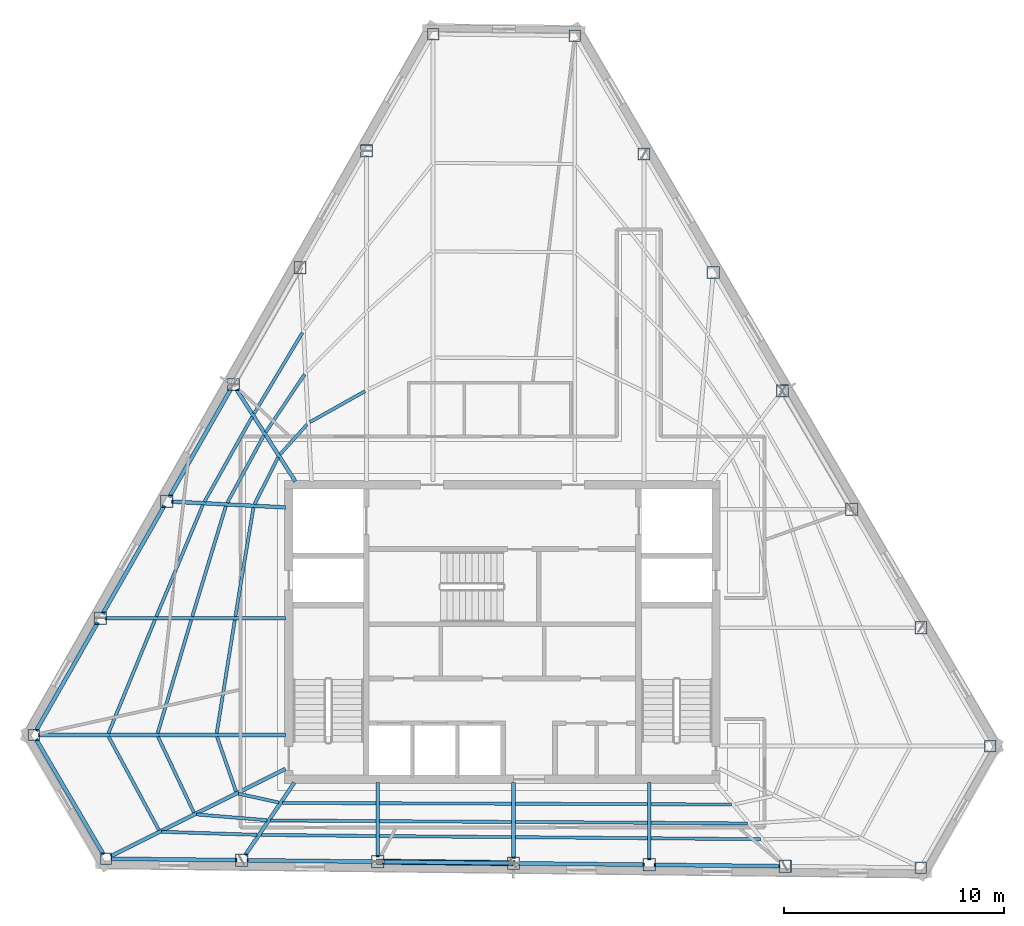
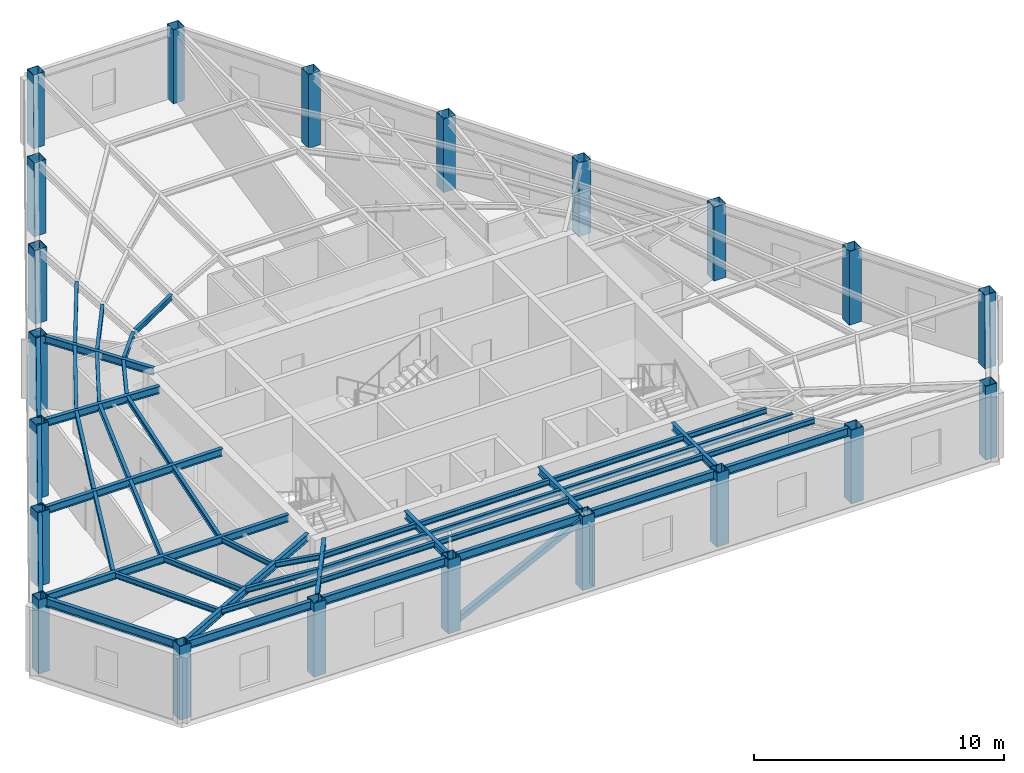
# One storey, part 1 of 10: 49 beams, 21 columns, 1 member.
"""IFC4 building model written with IfcOpenShell, lengths in metres."""

import ifcopenshell
import ifcopenshell.guid

model = None  # the IFC model being written
_history = None  # IfcOwnerHistory: only IFC2X3 demands one
_inside = {}  # id of a spatial element -> (the spatial element, [elements in it])
_under = {}  # id of a project, library or spatial element -> (it, [spatial elements below it])
_declared = {}  # id of a project -> (the project, [libraries it declares])
_typed = {}  # id of a type object -> (the type object, [elements of that type])
_made_of = {}  # id of a material, layer set ... -> (it, [elements and type objects made of it])


def new_model(schema):
    """Start an empty IFC model of exactly this schema.

    Asked for "IFC4X3", IfcOpenShell would pick the latest addendum, in which some entities
    have other attributes; the version numbers below select the first issue.
    IFC2X3 requires an IfcOwnerHistory on every rooted entity: one is made here for all.
    """
    global model, _history
    if schema == "IFC4X3":
        model = ifcopenshell.file(schema_version=(4, 3, 0, 0))
    else:
        model = ifcopenshell.file(schema=schema)
    _inside.clear()
    _under.clear()
    _declared.clear()
    _typed.clear()
    _made_of.clear()
    _history = None
    if model.schema == "IFC2X3":
        org = make("IfcOrganization", Name="unknown")
        user = make(
            "IfcPersonAndOrganization",
            ThePerson=make("IfcPerson", FamilyName="unknown"),
            TheOrganization=org,
        )
        app = make(
            "IfcApplication",
            ApplicationDeveloper=org,
            Version="unknown",
            ApplicationFullName="unknown",
            ApplicationIdentifier="unknown",
        )
        _history = make(
            "IfcOwnerHistory",
            OwningUser=user,
            OwningApplication=app,
            ChangeAction="ADDED",
            CreationDate=0,
        )
    return model


def make(cls, **values):
    """One entity of the class cls with the attributes given. An attribute that is None is left unset."""
    return model.create_entity(
        cls, **{name: value for name, value in values.items() if value is not None}
    )


def rooted(cls, **values):
    """An entity with a GlobalId (a new one), such as an element, a storey or a relation."""
    return make(cls, GlobalId=ifcopenshell.guid.new(), OwnerHistory=_history, **values)


def si_unit(unit_type, name, prefix=None):
    """IfcSIUnit, for example si_unit("LENGTHUNIT", "METRE", prefix="MILLI")."""
    return make("IfcSIUnit", UnitType=unit_type, Prefix=prefix, Name=name)


def assignment(units):
    """IfcUnitAssignment: the units of a project."""
    return None if units is None else make("IfcUnitAssignment", Units=units)


def point(xyz):
    """IfcCartesianPoint."""
    return None if xyz is None else make("IfcCartesianPoint", Coordinates=xyz)


def direction(xyz):
    """IfcDirection."""
    return None if xyz is None else make("IfcDirection", DirectionRatios=xyz)


def frame(location, z_axis=None, x_axis=None):
    """IfcAxis2Placement3D, a coordinate frame: its origin and axes. An axis left out is left unset."""
    return make(
        "IfcAxis2Placement3D",
        Location=point(location),
        Axis=direction(z_axis),
        RefDirection=direction(x_axis),
    )


def frame_2d(location, x_axis=None):
    """IfcAxis2Placement2D, a coordinate frame in the plane: its origin and x axis."""
    return make(
        "IfcAxis2Placement2D", Location=point(location), RefDirection=direction(x_axis)
    )


def origin():
    """The frame at (0, 0, 0) with its axes left unset."""
    return frame((0.0, 0.0, 0.0))


def origin_2d():
    """The frame at (0, 0) in the plane with its x axis left unset."""
    return frame_2d((0.0, 0.0))


def place(relative_to, where):
    """IfcLocalPlacement: puts the frame where relative to a parent placement (None: the world)."""
    return make(
        "IfcLocalPlacement", PlacementRelTo=relative_to, RelativePlacement=where
    )


def context(
    kind, dimensions, precision=None, world=None, true_north=None, identifier=None
):
    """IfcGeometricRepresentationContext, for example the 3D "Model" context."""
    return make(
        "IfcGeometricRepresentationContext",
        ContextIdentifier=identifier,
        ContextType=kind,
        CoordinateSpaceDimension=dimensions,
        Precision=precision,
        WorldCoordinateSystem=world,
        TrueNorth=true_north,
    )


def subcontext(parent, identifier, kind, view, scale=None):
    """IfcGeometricRepresentationSubContext, for example "Body" below "Model"."""
    return make(
        "IfcGeometricRepresentationSubContext",
        ContextIdentifier=identifier,
        ContextType=kind,
        ParentContext=parent,
        TargetScale=scale,
        TargetView=view,
    )


def project(units=None, contexts=None):
    """IfcProject with its units and contexts."""
    return rooted(
        "IfcProject",
        Name="project",
        RepresentationContexts=contexts,
        UnitsInContext=assignment(units),
    )


def spatial(cls, under=None, at=None, **own):
    """A site, building, storey or space (cls), placed at a placement, below another one or the project."""
    s = rooted(cls, ObjectPlacement=at, **own)
    if under is not None:
        _under.setdefault(under.id(), (under, []))[1].append(s)
    return s


def profile(cls, at=None, kind="AREA", **sizes):
    """A parametric profile (cls). Its sizes go by their IFC names, for example OverallWidth=200.0."""
    return make(cls, ProfileType=kind, Position=at, **sizes)


def hollow_rectangle(**sizes):
    """IfcRectangleHollowProfileDef."""
    return profile("IfcRectangleHollowProfileDef", **sizes)


def i_section(**sizes):
    """IfcIShapeProfileDef."""
    return profile("IfcIShapeProfileDef", **sizes)


def extrude(swept, where, along, depth):
    """IfcExtrudedAreaSolid: the profile swept, set in the frame where, extruded along a direction by depth."""
    return make(
        "IfcExtrudedAreaSolid",
        SweptArea=swept,
        Position=where,
        ExtrudedDirection=direction(along),
        Depth=depth,
    )


def shape(context_of_items, identifier, shape_type, items):
    """IfcShapeRepresentation: the items that make up one representation, for example the "Body"."""
    return make(
        "IfcShapeRepresentation",
        ContextOfItems=context_of_items,
        RepresentationIdentifier=identifier,
        RepresentationType=shape_type,
        Items=items,
    )


def material(Name=None, Category=None):
    """IfcMaterial."""
    return make("IfcMaterial", Name=Name, Category=Category)


def material_profile(
    of_material, cross_section, Name=None, Category=None, Priority=None
):
    """IfcMaterialProfile: a cross section and its material."""
    return make(
        "IfcMaterialProfile",
        Name=Name,
        Material=of_material,
        Profile=cross_section,
        Priority=Priority,
        Category=Category,
    )


def profile_set(profiles, Name=None, composite=None):
    """IfcMaterialProfileSet."""
    return make(
        "IfcMaterialProfileSet",
        Name=Name,
        MaterialProfiles=profiles,
        CompositeProfile=composite,
    )


def made_of(thing, what):
    """Note that an element or type object is made of a material, layer set ...; save() writes the relation."""
    if what is not None:
        _made_of.setdefault(what.id(), (what, []))[1].append(thing)
    return thing


def type_object(cls, material=None, **own):
    """A type object (cls), such as IfcWallType, which elements share."""
    return made_of(rooted(cls, **own), material)


def element(
    cls,
    number,
    at=None,
    inside=None,
    cuts=None,
    type_object=None,
    material=None,
    context=None,
    identifier="Body",
    shape_type=None,
    held_by="IfcProductDefinitionShape",
    body=None,
    shapes=None,
    **own,
):
    """One element of the class cls, such as IfcWall. Its Tag is "e" and its number.

    at: its placement. inside: the storey or other place that contains it. cuts: it is an
    opening in that element (IfcRelVoidsElement). A single representation is given by context,
    identifier, shape_type and body (its items); several are given by shapes. held_by: the class
    of the entity that holds the representations. save() writes the other relations.
    """
    e = rooted(cls, Tag="e%d" % number, ObjectPlacement=at, **own)
    if body is not None:
        shapes = [shape(context, identifier, shape_type, body)]
    if shapes is not None:
        e.Representation = make(held_by, Representations=shapes)
    if inside is not None:
        _inside.setdefault(inside.id(), (inside, []))[1].append(e)
    if cuts is not None:
        rooted(
            "IfcRelVoidsElement", RelatingBuildingElement=cuts, RelatedOpeningElement=e
        )
    if type_object is not None:
        _typed.setdefault(type_object.id(), (type_object, []))[1].append(e)
    return made_of(e, material)


def aggregate(whole, parts):
    """IfcRelAggregates: a whole, such as a stair, and the parts it consists of."""
    return rooted("IfcRelAggregates", RelatingObject=whole, RelatedObjects=parts)


def save(model, path):
    """Write the relations noted so far, then the file.

    IfcRelAggregates (storeys below a building ...), IfcRelContainedInSpatialStructure (elements
    in a storey), IfcRelDefinesByType, IfcRelAssociatesMaterial and IfcRelDeclares: one each for
    every whole, place, type object, material and project.
    """
    for whole, parts in _under.values():
        aggregate(whole, parts)
    for where, things in _inside.values():
        rooted(
            "IfcRelContainedInSpatialStructure",
            RelatedElements=things,
            RelatingStructure=where,
        )
    for kind, things in _typed.values():
        rooted("IfcRelDefinesByType", RelatedObjects=things, RelatingType=kind)
    for what, things in _made_of.values():
        rooted("IfcRelAssociatesMaterial", RelatedObjects=things, RelatingMaterial=what)
    for by, libraries in _declared.values():
        rooted("IfcRelDeclares", RelatingContext=by, RelatedDefinitions=libraries)
    model.write(path)


model = new_model("IFC4")

# Units and contexts
model_context = context("Model", 3, precision=1e-05, world=origin(), true_north=direction((0.0, 1.0)))
body_context = subcontext(model_context, "Body", "Model", "MODEL_VIEW")
ifc_project = project(units=[si_unit("LENGTHUNIT", "METRE"), si_unit("AREAUNIT", "SQUARE_METRE"), si_unit("VOLUMEUNIT", "CUBIC_METRE"), si_unit("PLANEANGLEUNIT", "RADIAN"), si_unit("MASSUNIT", "GRAM", prefix="KILO")], contexts=[model_context])

# Site, building, storey
site_placement = place(None, origin())
site = spatial("IfcSite", under=ifc_project, at=site_placement, CompositionType="ELEMENT")
building_placement = place(site_placement, origin())
building = spatial("IfcBuilding", under=site, at=building_placement, Name="Kavelnor Concourse Tower", CompositionType="ELEMENT")
storey_placement = place(building_placement, frame((0.0, 0.0, 254.89990234375)))
storey = spatial("IfcBuildingStorey", under=building, at=storey_placement, Name="L64", CompositionType="ELEMENT", Elevation=254.89990234375)

# Columns
ifc_material = material(Name="Steel Grade 350", Category="steel")
ifc_material_profile_1 = material_profile(ifc_material, hollow_rectangle(XDim=0.52001953125, YDim=0.52001953125, WallThickness=0.02392578125, at=origin_2d()), Name="SHS 520x520x24")
ifc_profile_set_1 = profile_set([ifc_material_profile_1], Name="Steel Grade 350")
column_type_1 = type_object("IfcColumnType", Name="COL-FOLD-Z4", PredefinedType="COLUMN", material=ifc_profile_set_1)
for number, where, z_axis, x_axis, name in (
    (1, (34.846923828125, 43.2880859375, 0.0), (0.0, 0.0, 1.0), (1.0, 0.0, 0.0), "L64 Perimeter Corner-Fold Column F0-B0"),
    (2, (16.684814453125, 11.416259765625, 0.0), (0.0, 0.0, 1.0), (1.0, 0.0, 0.0), "L64 Perimeter Corner-Fold Column F0-B6"),
    (3, (19.973876953125, 5.791748046875, 0.0), (0.0, 0.0, 1.0), (1.0, 0.0, 0.0), "L64 Perimeter Corner-Fold Column F1-B0"),
    (4, (57.026611328125, 5.376953125, 0.0), (0.0, 0.0, 1.0), (1.0, 0.0, 0.0), "L64 Perimeter Corner-Fold Column F1-B6"),
    (5, (60.179931640625, 10.91064453125, 0.0), (0.0, 0.0, 1.0), (1.0, 0.0, 0.0), "L64 Perimeter Corner-Fold Column F2-B0"),
    (6, (41.288818359375, 43.216064453125, 0.0), (0.0, 0.0, 1.0), (1.0, 0.0, 0.0), "L64 Perimeter Corner-Fold Column F2-B6"),
):
    element("IfcColumn", number, at=place(storey_placement, frame(where, z_axis=z_axis, x_axis=x_axis)), inside=storey, type_object=column_type_1, Name=name, PredefinedType="COLUMN", context=body_context, shape_type="SweptSolid", body=[
        extrude(hollow_rectangle(XDim=0.52001953125, YDim=0.52001953125, WallThickness=0.02392578125, at=origin_2d()), origin(), (0.0, 0.0, 1.0), 3.610107421875),
    ])
ifc_material_profile_2 = material_profile(ifc_material, hollow_rectangle(XDim=0.56005859375, YDim=0.56005859375, WallThickness=0.02490234375, at=origin_2d()), Name="SHS 560x560x25")
ifc_profile_set_2 = profile_set([ifc_material_profile_2], Name="Steel Grade 350")
column_type_2 = type_object("IfcColumnType", Name="COL-TUBE-Z4", PredefinedType="COLUMN", material=ifc_profile_set_2)
for number, where, z_axis, x_axis, name in (
    (7, (31.81982421875, 37.976318359375, 0.0), (0.0, 0.0, 1.0), (1.0, 0.0, 0.0), "L64 Perimeter Framed-Tube Column F0-B1"),
    (8, (28.79296875, 32.664306640625, 0.0), (0.0, 0.0, 1.0), (1.0, 0.0, 0.0), "L64 Perimeter Framed-Tube Column F0-B2"),
    (9, (25.765869140625, 27.352294921875, 0.0), (0.0, 0.0, 1.0), (1.0, 0.0, 0.0), "L64 Perimeter Framed-Tube Column F0-B3"),
    (10, (22.739013671875, 22.040283203125, 0.0), (0.0, 0.0, 1.0), (1.0, 0.0, 0.0), "L64 Perimeter Framed-Tube Column F0-B4"),
    (11, (19.7119140625, 16.728271484375, 0.0), (0.0, 0.0, 1.0), (1.0, 0.0, 0.0), "L64 Perimeter Framed-Tube Column F0-B5"),
    (12, (26.1494140625, 5.72265625, 0.0), (0.0, 0.0, 1.0), (1.0, 0.0, 0.0), "L64 Perimeter Framed-Tube Column F1-B1"),
    (13, (32.32470703125, 5.653564453125, 0.0), (0.0, 0.0, 1.0), (1.0, 0.0, 0.0), "L64 Perimeter Framed-Tube Column F1-B2"),
    (14, (38.500244140625, 5.58447265625, 0.0), (0.0, 0.0, 1.0), (1.0, 0.0, 0.0), "L64 Perimeter Framed-Tube Column F1-B3"),
    (15, (44.67578125, 5.515380859375, 0.0), (0.0, 0.0, 1.0), (1.0, 0.0, 0.0), "L64 Perimeter Framed-Tube Column F1-B4"),
    (16, (50.851318359375, 5.446044921875, 0.0), (0.0, 0.0, 1.0), (1.0, 0.0, 0.0), "L64 Perimeter Framed-Tube Column F1-B5"),
    (17, (57.031494140625, 16.294921875, 0.0), (0.0, 0.0, 1.0), (1.0, 0.0, 0.0), "L64 Perimeter Framed-Tube Column F2-B1"),
    (18, (53.8828125, 21.67919921875, 0.0), (0.0, 0.0, 1.0), (1.0, 0.0, 0.0), "L64 Perimeter Framed-Tube Column F2-B2"),
    (19, (50.734375, 27.063232421875, 0.0), (0.0, 0.0, 1.0), (1.0, 0.0, 0.0), "L64 Perimeter Framed-Tube Column F2-B3"),
    (20, (47.5859375, 32.447509765625, 0.0), (0.0, 0.0, 1.0), (1.0, 0.0, 0.0), "L64 Perimeter Framed-Tube Column F2-B4"),
    (21, (44.437255859375, 37.831787109375, 0.0), (0.0, 0.0, 1.0), (1.0, 0.0, 0.0), "L64 Perimeter Framed-Tube Column F2-B5"),
):
    element("IfcColumn", number, at=place(storey_placement, frame(where, z_axis=z_axis, x_axis=x_axis)), inside=storey, type_object=column_type_2, Name=name, PredefinedType="COLUMN", context=body_context, shape_type="SweptSolid", body=[
        extrude(hollow_rectangle(XDim=0.56005859375, YDim=0.56005859375, WallThickness=0.02490234375, at=origin_2d()), origin(), (0.0, 0.0, 1.0), 3.610107421875),
    ])

# Beams
ifc_material_profile_3 = material_profile(ifc_material, i_section(OverallWidth=0.14599609375, OverallDepth=0.256103515625, WebThickness=0.00634765625, FlangeThickness=0.010986328125, at=origin_2d()), Name="250UB37")
ifc_profile_set_3 = profile_set([ifc_material_profile_3], Name="Steel Grade 350")
beam_type_1 = type_object("IfcBeamType", Name="BM-JOIST-250", PredefinedType="JOIST", material=ifc_profile_set_3)
beam_1_placement = place(storey_placement, frame((25.02099609375, 11.338623046875, 3.482177734375), z_axis=(0.327570712043, -0.944826665908, 0.0), x_axis=(0.944826665908, 0.327570712043, 0.0)))
element("IfcBeam", 22, at=beam_1_placement, inside=storey, type_object=beam_type_1, Name="L64 Secondary Composite Joist 01-1", PredefinedType="JOIST", context=body_context, shape_type="SweptSolid", body=[
    extrude(i_section(OverallWidth=0.14599609375, OverallDepth=0.256103515625, WebThickness=0.00634765625, FlangeThickness=0.010986328125, at=origin_2d()), origin(), (0.0, 0.0, 1.0), 2.64208984375),
])
beam_2_placement = place(storey_placement, frame((22.3330078125, 11.342041015625, 3.482177734375), z_axis=(0.428612922517, -0.903488219431, 0.0), x_axis=(0.903488219431, 0.428612922517, 0.0)))
element("IfcBeam", 23, at=beam_2_placement, inside=storey, type_object=beam_type_1, Name="L64 Secondary Composite Joist 01-2", PredefinedType="JOIST", context=body_context, shape_type="SweptSolid", body=[
    extrude(i_section(OverallWidth=0.14599609375, OverallDepth=0.256103515625, WebThickness=0.00634765625, FlangeThickness=0.010986328125, at=origin_2d()), origin(), (0.0, 0.0, 1.0), 3.825927734375),
])
beam_3_placement = place(storey_placement, frame((20.089599609375, 11.343994140625, 3.482177734375), z_axis=(0.474241384819, -0.880394859665, 0.0), x_axis=(0.880394859665, 0.474241384819, 0.0)))
element("IfcBeam", 24, at=beam_3_placement, inside=storey, type_object=beam_type_1, Name="L64 Secondary Composite Joist 01-3", PredefinedType="JOIST", context=body_context, shape_type="SweptSolid", body=[
    extrude(i_section(OverallWidth=0.14599609375, OverallDepth=0.256103515625, WebThickness=0.00634765625, FlangeThickness=0.010986328125, at=origin_2d()), origin(), (0.0, 0.0, 1.0), 4.83349609375),
])
beam_4_placement = place(storey_placement, frame((25.993408203125, 8.747314453125, 3.482177734375), z_axis=(0.976947404223, -0.213480138144, 0.0), x_axis=(0.213480138144, 0.976947404223, 0.0)))
element("IfcBeam", 25, at=beam_4_placement, inside=storey, type_object=beam_type_1, Name="L64 Secondary Composite Joist 02-1", PredefinedType="JOIST", context=body_context, shape_type="SweptSolid", body=[
    extrude(i_section(OverallWidth=0.14599609375, OverallDepth=0.256103515625, WebThickness=0.00634765625, FlangeThickness=0.010986328125, at=origin_2d()), origin(), (0.0, 0.0, 1.0), 1.88134765625),
])
beam_5_placement = place(storey_placement, frame((24.08984375, 7.804443359375, 3.482177734375), z_axis=(0.996661068571, -0.081649950367, 0.0), x_axis=(0.081649950367, 0.996661068571, 0.0)))
element("IfcBeam", 26, at=beam_5_placement, inside=storey, type_object=beam_type_1, Name="L64 Secondary Composite Joist 02-2", PredefinedType="JOIST", context=body_context, shape_type="SweptSolid", body=[
    extrude(i_section(OverallWidth=0.14599609375, OverallDepth=0.256103515625, WebThickness=0.00634765625, FlangeThickness=0.010986328125, at=origin_2d()), origin(), (0.0, 0.0, 1.0), 3.21435546875),
])
beam_6_placement = place(storey_placement, frame((22.502685546875, 7.013916015625, 3.482177734375), z_axis=(0.999505035576, -0.031459241228, 0.0), x_axis=(0.031459241228, 0.999505035576, 0.0)))
element("IfcBeam", 27, at=beam_6_placement, inside=storey, type_object=beam_type_1, Name="L64 Secondary Composite Joist 02-3", PredefinedType="JOIST", context=body_context, shape_type="SweptSolid", body=[
    extrude(i_section(OverallWidth=0.14599609375, OverallDepth=0.256103515625, WebThickness=0.00634765625, FlangeThickness=0.010986328125, at=origin_2d()), origin(), (0.0, 0.0, 1.0), 4.345947265625),
])
beam_7_placement = place(storey_placement, frame((27.993408203125, 8.327880859375, 3.482177734375), z_axis=(0.999993027409, -0.003734318441, 0.0), x_axis=(0.003734318441, 0.999993027409, 0.0)))
element("IfcBeam", 28, at=beam_7_placement, inside=storey, type_object=beam_type_1, Name="L64 Secondary Composite Joist 03-1", PredefinedType="JOIST", context=body_context, shape_type="SweptSolid", body=[
    extrude(i_section(OverallWidth=0.14599609375, OverallDepth=0.256103515625, WebThickness=0.00634765625, FlangeThickness=0.010986328125, at=origin_2d()), origin(), (0.0, 0.0, 1.0), 4.24951171875),
])
beam_8_placement = place(storey_placement, frame((27.45703125, 7.53466796875, 3.482177734375), z_axis=(0.999973020597, -0.00734561623, 0.0), x_axis=(0.00734561623, 0.999973020597, 0.0)))
element("IfcBeam", 29, at=beam_8_placement, inside=storey, type_object=beam_type_1, Name="L64 Secondary Composite Joist 03-2", PredefinedType="JOIST", context=body_context, shape_type="SweptSolid", body=[
    extrude(i_section(OverallWidth=0.14599609375, OverallDepth=0.256103515625, WebThickness=0.00634765625, FlangeThickness=0.010986328125, at=origin_2d()), origin(), (0.0, 0.0, 1.0), 4.7861328125),
])
beam_9_placement = place(storey_placement, frame((27.01025390625, 6.873779296875, 3.482177734375), z_axis=(0.999952003298, -0.009797504815, 0.0), x_axis=(0.009797504815, 0.999952003298, 0.0)))
element("IfcBeam", 30, at=beam_9_placement, inside=storey, type_object=beam_type_1, Name="L64 Secondary Composite Joist 03-3", PredefinedType="JOIST", context=body_context, shape_type="SweptSolid", body=[
    extrude(i_section(OverallWidth=0.14599609375, OverallDepth=0.256103515625, WebThickness=0.00634765625, FlangeThickness=0.010986328125, at=origin_2d()), origin(), (0.0, 0.0, 1.0), 5.23291015625),
])
for number, where, z_axis, x_axis, name in (
    (31, (32.40673828125, 8.3115234375, 3.482177734375), (0.999995110479, -0.003127142245, 0.0), (0.003127142245, 0.999995110479, 0.0), "L64 Secondary Composite Joist 04-1"),
    (32, (32.40673828125, 7.49853515625, 3.482177734375), (0.999983136444, -0.005807480344, 0.0), (0.005807480344, 0.999983136444, 0.0), "L64 Secondary Composite Joist 04-2"),
):
    element("IfcBeam", number, at=place(storey_placement, frame(where, z_axis=z_axis, x_axis=x_axis)), inside=storey, type_object=beam_type_1, Name=name, PredefinedType="JOIST", context=body_context, shape_type="SweptSolid", body=[
        extrude(i_section(OverallWidth=0.14599609375, OverallDepth=0.256103515625, WebThickness=0.00634765625, FlangeThickness=0.010986328125, at=origin_2d()), origin(), (0.0, 0.0, 1.0), 6.011474609375),
    ])
beam_10_placement = place(storey_placement, frame((32.40673828125, 6.821044921875, 3.482177734375), z_axis=(0.999967670619, -0.008041002265, 0.0), x_axis=(0.008041002265, 0.999967670619, 0.0)))
element("IfcBeam", 33, at=beam_10_placement, inside=storey, type_object=beam_type_1, Name="L64 Secondary Composite Joist 04-3", PredefinedType="JOIST", context=body_context, shape_type="SweptSolid", body=[
    extrude(i_section(OverallWidth=0.14599609375, OverallDepth=0.256103515625, WebThickness=0.00634765625, FlangeThickness=0.010986328125, at=origin_2d()), origin(), (0.0, 0.0, 1.0), 6.01171875),
])
for number, where, z_axis, x_axis, name in (
    (34, (38.582275390625, 8.292236328125, 3.482177734375), (0.999994982654, -0.003167754077, 0.0), (0.003167754077, 0.999994982654, 0.0), "L64 Secondary Composite Joist 05-1"),
    (35, (38.582275390625, 7.462646484375, 3.482177734375), (0.999982899771, -0.005848090711, 0.0), (0.005848090711, 0.999982899771, 0.0), "L64 Secondary Composite Joist 05-2"),
):
    element("IfcBeam", number, at=place(storey_placement, frame(where, z_axis=z_axis, x_axis=x_axis)), inside=storey, type_object=beam_type_1, Name=name, PredefinedType="JOIST", context=body_context, shape_type="SweptSolid", body=[
        extrude(i_section(OverallWidth=0.14599609375, OverallDepth=0.256103515625, WebThickness=0.00634765625, FlangeThickness=0.010986328125, at=origin_2d()), origin(), (0.0, 0.0, 1.0), 6.011474609375),
    ])
beam_11_placement = place(storey_placement, frame((38.582275390625, 6.771240234375, 3.482177734375), z_axis=(0.999967670619, -0.008041002265, 0.0), x_axis=(0.008041002265, 0.999967670619, 0.0)))
element("IfcBeam", 36, at=beam_11_placement, inside=storey, type_object=beam_type_1, Name="L64 Secondary Composite Joist 05-3", PredefinedType="JOIST", context=body_context, shape_type="SweptSolid", body=[
    extrude(i_section(OverallWidth=0.14599609375, OverallDepth=0.256103515625, WebThickness=0.00634765625, FlangeThickness=0.010986328125, at=origin_2d()), origin(), (0.0, 0.0, 1.0), 6.01171875),
])
beam_12_placement = place(storey_placement, frame((44.7578125, 8.272705078125, 3.482177734375), z_axis=(0.999980803596, -0.006196163284, 0.0), x_axis=(0.006196163284, 0.999980803596, 0.0)))
element("IfcBeam", 37, at=beam_12_placement, inside=storey, type_object=beam_type_1, Name="L64 Secondary Composite Joist 06-1", PredefinedType="JOIST", context=body_context, shape_type="SweptSolid", body=[
    extrude(i_section(OverallWidth=0.14599609375, OverallDepth=0.256103515625, WebThickness=0.00634765625, FlangeThickness=0.010986328125, at=origin_2d()), origin(), (0.0, 0.0, 1.0), 3.664306640625),
])
beam_13_placement = place(storey_placement, frame((44.7578125, 7.426513671875, 3.482177734375), z_axis=(0.999969153149, -0.007854473321, 0.0), x_axis=(0.007854473321, 0.999969153149, 0.0)))
element("IfcBeam", 38, at=beam_13_placement, inside=storey, type_object=beam_type_1, Name="L64 Secondary Composite Joist 06-2", PredefinedType="JOIST", context=body_context, shape_type="SweptSolid", body=[
    extrude(i_section(OverallWidth=0.14599609375, OverallDepth=0.256103515625, WebThickness=0.00634765625, FlangeThickness=0.010986328125, at=origin_2d()), origin(), (0.0, 0.0, 1.0), 4.3828125),
])
beam_14_placement = place(storey_placement, frame((44.7578125, 6.721435546875, 3.482177734375), z_axis=(0.999960652834, -0.008870895367, 0.0), x_axis=(0.008870895367, 0.999960652834, 0.0)))
element("IfcBeam", 39, at=beam_14_placement, inside=storey, type_object=beam_type_1, Name="L64 Secondary Composite Joist 06-3", PredefinedType="JOIST", context=body_context, shape_type="SweptSolid", body=[
    extrude(i_section(OverallWidth=0.14599609375, OverallDepth=0.256103515625, WebThickness=0.00634765625, FlangeThickness=0.010986328125, at=origin_2d()), origin(), (0.0, 0.0, 1.0), 4.9814453125),
])
beam_15_placement = place(storey_placement, frame((31.748291015625, 27.04833984375, 3.482177734375), z_axis=(-0.871936062537, -0.489619753327, 0.0), x_axis=(0.489619753327, -0.871936062537, 0.0)))
element("IfcBeam", 40, at=beam_15_placement, inside=storey, type_object=beam_type_1, Name="L64 Secondary Composite Joist 17-1", PredefinedType="JOIST", context=body_context, shape_type="SweptSolid", body=[
    extrude(i_section(OverallWidth=0.14599609375, OverallDepth=0.256103515625, WebThickness=0.00634765625, FlangeThickness=0.010986328125, at=origin_2d()), origin(), (0.0, 0.0, 1.0), 2.87353515625),
])
beam_16_placement = place(storey_placement, frame((29.1162109375, 25.540283203125, 3.482177734375), z_axis=(-0.668979444943, -0.743280903995, 0.0), x_axis=(0.743280903995, -0.668979444943, 0.0)))
element("IfcBeam", 41, at=beam_16_placement, inside=storey, type_object=beam_type_1, Name="L64 Secondary Composite Joist 18-1", PredefinedType="JOIST", context=body_context, shape_type="SweptSolid", body=[
    extrude(i_section(OverallWidth=0.14599609375, OverallDepth=0.256103515625, WebThickness=0.00634765625, FlangeThickness=0.010986328125, at=origin_2d()), origin(), (0.0, 0.0, 1.0), 1.83349609375),
])
beam_17_placement = place(storey_placement, frame((29.003173828125, 27.814208984375, 3.482177734375), z_axis=(-0.557581580535, -0.83012214827, 0.0), x_axis=(0.83012214827, -0.557581580535, 0.0)))
element("IfcBeam", 42, at=beam_17_placement, inside=storey, type_object=beam_type_1, Name="L64 Secondary Composite Joist 18-2", PredefinedType="JOIST", context=body_context, shape_type="SweptSolid", body=[
    extrude(i_section(OverallWidth=0.14599609375, OverallDepth=0.256103515625, WebThickness=0.00634765625, FlangeThickness=0.010986328125, at=origin_2d()), origin(), (0.0, 0.0, 1.0), 3.1640625),
])
beam_18_placement = place(storey_placement, frame((28.905029296875, 29.712646484375, 3.482177734375), z_axis=(-0.513132667829, -0.858309306257, 0.0), x_axis=(0.858309306257, -0.513132667829, 0.0)))
element("IfcBeam", 43, at=beam_18_placement, inside=storey, type_object=beam_type_1, Name="L64 Secondary Composite Joist 18-3", PredefinedType="JOIST", context=body_context, shape_type="SweptSolid", body=[
    extrude(i_section(OverallWidth=0.14599609375, OverallDepth=0.256103515625, WebThickness=0.00634765625, FlangeThickness=0.010986328125, at=origin_2d()), origin(), (0.0, 0.0, 1.0), 4.29541015625),
])
beam_19_placement = place(storey_placement, frame((27.798095703125, 24.043212890625, 3.482177734375), z_axis=(-0.449217633521, -0.893422362455, 0.0), x_axis=(0.893422362455, -0.449217633521, 0.0)))
element("IfcBeam", 44, at=beam_19_placement, inside=storey, type_object=beam_type_1, Name="L64 Secondary Composite Joist 19-1", PredefinedType="JOIST", context=body_context, shape_type="SweptSolid", body=[
    extrude(i_section(OverallWidth=0.14599609375, OverallDepth=0.256103515625, WebThickness=0.00634765625, FlangeThickness=0.010986328125, at=origin_2d()), origin(), (0.0, 0.0, 1.0), 2.386474609375),
])
beam_20_placement = place(storey_placement, frame((27.154296875, 25.047607421875, 3.482177734375), z_axis=(-0.477193516821, -0.878798240499, 0.0), x_axis=(0.878798240499, -0.477193516821, 0.0)))
element("IfcBeam", 45, at=beam_20_placement, inside=storey, type_object=beam_type_1, Name="L64 Secondary Composite Joist 19-2", PredefinedType="JOIST", context=body_context, shape_type="SweptSolid", body=[
    extrude(i_section(OverallWidth=0.14599609375, OverallDepth=0.256103515625, WebThickness=0.00634765625, FlangeThickness=0.010986328125, at=origin_2d()), origin(), (0.0, 0.0, 1.0), 3.498046875),
])
beam_21_placement = place(storey_placement, frame((26.61865234375, 25.884033203125, 3.482177734375), z_axis=(-0.490067420679, -0.87168453192, 0.0), x_axis=(0.87168453192, -0.490067420679, 0.0)))
element("IfcBeam", 46, at=beam_21_placement, inside=storey, type_object=beam_type_1, Name="L64 Secondary Composite Joist 19-3", PredefinedType="JOIST", context=body_context, shape_type="SweptSolid", body=[
    extrude(i_section(OverallWidth=0.14599609375, OverallDepth=0.256103515625, WebThickness=0.00634765625, FlangeThickness=0.010986328125, at=origin_2d()), origin(), (0.0, 0.0, 1.0), 4.42578125),
])
beam_22_placement = place(storey_placement, frame((26.67578125, 21.7568359375, 3.482177734375), z_axis=(-0.163656923451, -0.986517314296, 0.0), x_axis=(0.986517314296, -0.163656923451, 0.0)))
element("IfcBeam", 47, at=beam_22_placement, inside=storey, type_object=beam_type_1, Name="L64 Secondary Composite Joist 20-1", PredefinedType="JOIST", context=body_context, shape_type="SweptSolid", body=[
    extrude(i_section(OverallWidth=0.14599609375, OverallDepth=0.256103515625, WebThickness=0.00634765625, FlangeThickness=0.010986328125, at=origin_2d()), origin(), (0.0, 0.0, 1.0), 5.015380859375),
])
beam_23_placement = place(storey_placement, frame((25.422119140625, 21.822998046875, 3.482177734375), z_axis=(-0.291100473436, -0.956692486834, 0.0), x_axis=(0.956692486834, -0.291100473436, 0.0)))
element("IfcBeam", 48, at=beam_23_placement, inside=storey, type_object=beam_type_1, Name="L64 Secondary Composite Joist 20-2", PredefinedType="JOIST", context=body_context, shape_type="SweptSolid", body=[
    extrude(i_section(OverallWidth=0.14599609375, OverallDepth=0.256103515625, WebThickness=0.00634765625, FlangeThickness=0.010986328125, at=origin_2d()), origin(), (0.0, 0.0, 1.0), 5.243408203125),
])
beam_24_placement = place(storey_placement, frame((24.378173828125, 21.87890625, 3.482177734375), z_axis=(-0.38490856663, -0.922954709255, 0.0), x_axis=(0.922954709255, -0.38490856663, 0.0)))
element("IfcBeam", 49, at=beam_24_placement, inside=storey, type_object=beam_type_1, Name="L64 Secondary Composite Joist 20-3", PredefinedType="JOIST", context=body_context, shape_type="SweptSolid", body=[
    extrude(i_section(OverallWidth=0.14599609375, OverallDepth=0.256103515625, WebThickness=0.00634765625, FlangeThickness=0.010986328125, at=origin_2d()), origin(), (0.0, 0.0, 1.0), 5.49853515625),
])
beam_25_placement = place(storey_placement, frame((25.828857421875, 16.647216796875, 3.482177734375), z_axis=(-0.157577847174, -0.98750656812, 0.0), x_axis=(0.98750656812, -0.157577847174, 0.0)))
element("IfcBeam", 50, at=beam_25_placement, inside=storey, type_object=beam_type_1, Name="L64 Secondary Composite Joist 21-1", PredefinedType="JOIST", context=body_context, shape_type="SweptSolid", body=[
    extrude(i_section(OverallWidth=0.14599609375, OverallDepth=0.256103515625, WebThickness=0.00634765625, FlangeThickness=0.010986328125, at=origin_2d()), origin(), (0.0, 0.0, 1.0), 5.215087890625),
])
beam_26_placement = place(storey_placement, frame((23.848388671875, 16.649658203125, 3.482177734375), z_axis=(-0.284088329691, -0.958798112708, 0.0), x_axis=(0.958798112708, -0.284088329691, 0.0)))
element("IfcBeam", 51, at=beam_26_placement, inside=storey, type_object=beam_type_1, Name="L64 Secondary Composite Joist 21-2", PredefinedType="JOIST", context=body_context, shape_type="SweptSolid", body=[
    extrude(i_section(OverallWidth=0.14599609375, OverallDepth=0.256103515625, WebThickness=0.00634765625, FlangeThickness=0.010986328125, at=origin_2d()), origin(), (0.0, 0.0, 1.0), 5.376220703125),
])
beam_27_placement = place(storey_placement, frame((22.198974609375, 16.65234375, 3.482177734375), z_axis=(-0.379587097142, -0.925156006133, 0.0), x_axis=(0.925156006133, -0.379587097142, 0.0)))
element("IfcBeam", 52, at=beam_27_placement, inside=storey, type_object=beam_type_1, Name="L64 Secondary Composite Joist 21-3", PredefinedType="JOIST", context=body_context, shape_type="SweptSolid", body=[
    extrude(i_section(OverallWidth=0.14599609375, OverallDepth=0.256103515625, WebThickness=0.00634765625, FlangeThickness=0.010986328125, at=origin_2d()), origin(), (0.0, 0.0, 1.0), 5.57763671875),
])
ifc_material_profile_4 = material_profile(ifc_material, i_section(OverallWidth=0.172119140625, OverallDepth=0.35888671875, WebThickness=0.008056640625, FlangeThickness=0.012939453125, at=origin_2d()), Name="360UB56")
ifc_profile_set_4 = profile_set([ifc_material_profile_4], Name="Steel Grade 350")
beam_type_2 = type_object("IfcBeamType", Name="BM-PRIMARY-360", PredefinedType="BEAM", material=ifc_profile_set_4)
beam_28_placement = place(storey_placement, frame((28.5830078125, 22.9462890625, 3.4306640625), z_axis=(-0.53867659104, 0.842512629143, 0.0), x_axis=(-0.842512629143, -0.53867659104, 0.0)))
element("IfcBeam", 53, at=beam_28_placement, inside=storey, type_object=beam_type_2, Name="L64 Primary Floor Girder F0-B3", PredefinedType="BEAM", context=body_context, shape_type="SweptSolid", body=[
    extrude(i_section(OverallWidth=0.172119140625, OverallDepth=0.35888671875, WebThickness=0.008056640625, FlangeThickness=0.012939453125, at=origin_2d()), origin(), (0.0, 0.0, 1.0), 4.9609375),
])
beam_29_placement = place(storey_placement, frame((28.139892578125, 21.763427734375, 3.4306640625), z_axis=(-0.998690686011, 0.051155778507, 0.0), x_axis=(-0.051155778507, -0.998690686011, 0.0)))
element("IfcBeam", 54, at=beam_29_placement, inside=storey, type_object=beam_type_2, Name="L64 Primary Floor Girder F0-B4", PredefinedType="BEAM", context=body_context, shape_type="SweptSolid", body=[
    extrude(i_section(OverallWidth=0.172119140625, OverallDepth=0.35888671875, WebThickness=0.008056640625, FlangeThickness=0.012939453125, at=origin_2d()), origin(), (0.0, 0.0, 1.0), 5.187744140625),
])
beam_30_placement = place(storey_placement, frame((28.139892578125, 16.728271484375, 3.4306640625), z_axis=(-1.0, 0.0, 0.0), x_axis=(0.0, -1.0, 0.0)))
element("IfcBeam", 55, at=beam_30_placement, inside=storey, type_object=beam_type_2, Name="L64 Primary Floor Girder F0-B5", PredefinedType="BEAM", context=body_context, shape_type="SweptSolid", body=[
    extrude(i_section(OverallWidth=0.172119140625, OverallDepth=0.35888671875, WebThickness=0.008056640625, FlangeThickness=0.012939453125, at=origin_2d()), origin(), (0.0, 0.0, 1.0), 8.2080078125),
])
beam_31_placement = place(storey_placement, frame((28.139892578125, 11.416259765625, 3.4306640625), z_axis=(-1.0, 0.0, 0.0), x_axis=(0.0, -1.0, 0.0)))
element("IfcBeam", 56, at=beam_31_placement, inside=storey, type_object=beam_type_2, Name="L64 Primary Floor Girder F0-B6", PredefinedType="BEAM", context=body_context, shape_type="SweptSolid", body=[
    extrude(i_section(OverallWidth=0.172119140625, OverallDepth=0.35888671875, WebThickness=0.008056640625, FlangeThickness=0.012939453125, at=origin_2d()), origin(), (0.0, 0.0, 1.0), 11.235107421875),
])
beam_32_placement = place(storey_placement, frame((28.1357421875, 9.877197265625, 3.4306640625), z_axis=(-0.894234580756, -0.447598608779, 0.0), x_axis=(0.447598608779, -0.894234580756, 0.0)))
element("IfcBeam", 57, at=beam_32_placement, inside=storey, type_object=beam_type_2, Name="L64 Primary Floor Girder F1-B0", PredefinedType="BEAM", context=body_context, shape_type="SweptSolid", body=[
    extrude(i_section(OverallWidth=0.172119140625, OverallDepth=0.35888671875, WebThickness=0.008056640625, FlangeThickness=0.012939453125, at=origin_2d()), origin(), (0.0, 0.0, 1.0), 8.87646484375),
])
beam_33_placement = place(storey_placement, frame((28.536865234375, 9.253173828125, 3.4306640625), z_axis=(-0.560211777306, -0.828349421782, 0.0), x_axis=(0.828349421782, -0.560211777306, 0.0)))
element("IfcBeam", 58, at=beam_33_placement, inside=storey, type_object=beam_type_2, Name="L64 Primary Floor Girder F1-B1", PredefinedType="BEAM", context=body_context, shape_type="SweptSolid", body=[
    extrude(i_section(OverallWidth=0.172119140625, OverallDepth=0.35888671875, WebThickness=0.008056640625, FlangeThickness=0.012939453125, at=origin_2d()), origin(), (0.0, 0.0, 1.0), 3.988037109375),
])
beam_34_placement = place(storey_placement, frame((32.32470703125, 9.260009765625, 3.4306640625), z_axis=(0.0, -1.0, 0.0), x_axis=(1.0, 0.0, 0.0)))
element("IfcBeam", 59, at=beam_34_placement, inside=storey, type_object=beam_type_2, Name="L64 Primary Floor Girder F1-B2", PredefinedType="BEAM", context=body_context, shape_type="SweptSolid", body=[
    extrude(i_section(OverallWidth=0.172119140625, OverallDepth=0.35888671875, WebThickness=0.008056640625, FlangeThickness=0.012939453125, at=origin_2d()), origin(), (0.0, 0.0, 1.0), 3.386474609375),
])
beam_35_placement = place(storey_placement, frame((38.500244140625, 9.260009765625, 3.4306640625), z_axis=(0.0, -1.0, 0.0), x_axis=(1.0, 0.0, 0.0)))
element("IfcBeam", 60, at=beam_35_placement, inside=storey, type_object=beam_type_2, Name="L64 Primary Floor Girder F1-B3", PredefinedType="BEAM", context=body_context, shape_type="SweptSolid", body=[
    extrude(i_section(OverallWidth=0.172119140625, OverallDepth=0.35888671875, WebThickness=0.008056640625, FlangeThickness=0.012939453125, at=origin_2d()), origin(), (0.0, 0.0, 1.0), 3.45556640625),
])
beam_36_placement = place(storey_placement, frame((44.67578125, 9.260009765625, 3.4306640625), z_axis=(0.0, -1.0, 0.0), x_axis=(1.0, 0.0, 0.0)))
element("IfcBeam", 61, at=beam_36_placement, inside=storey, type_object=beam_type_2, Name="L64 Primary Floor Girder F1-B4", PredefinedType="BEAM", context=body_context, shape_type="SweptSolid", body=[
    extrude(i_section(OverallWidth=0.172119140625, OverallDepth=0.35888671875, WebThickness=0.008056640625, FlangeThickness=0.012939453125, at=origin_2d()), origin(), (0.0, 0.0, 1.0), 3.524658203125),
])
ifc_material_profile_5 = material_profile(ifc_material, i_section(OverallWidth=0.177978515625, OverallDepth=0.406005859375, WebThickness=0.0078125, FlangeThickness=0.0126953125, at=origin_2d()), Name="410UB59")
ifc_profile_set_5 = profile_set([ifc_material_profile_5], Name="Steel Grade 350")
beam_type_3 = type_object("IfcBeamType", Name="BM-SPANDREL-Z4", PredefinedType="SPANDREL", material=ifc_profile_set_5)
for number, where, z_axis, x_axis, name in (
    (62, (25.654541015625, 27.15673828125, 3.406982421875), (-0.495089497601, -0.868841981816, 0.0), (0.868841981816, -0.495089497601, 0.0), "L64 Perimeter Tube Spandrel Beam F0-B3"),
    (63, (22.62744140625, 21.8447265625, 3.406982421875), (-0.495089497601, -0.868841981816, 0.0), (0.868841981816, -0.495089497601, 0.0), "L64 Perimeter Tube Spandrel Beam F0-B4"),
):
    element("IfcBeam", number, at=place(storey_placement, frame(where, z_axis=z_axis, x_axis=x_axis)), inside=storey, type_object=beam_type_3, Name=name, PredefinedType="SPANDREL", context=body_context, shape_type="SweptSolid", body=[
        extrude(i_section(OverallWidth=0.177978515625, OverallDepth=0.406005859375, WebThickness=0.0078125, FlangeThickness=0.0126953125, at=origin_2d()), origin(), (0.0, 0.0, 1.0), 5.6640625),
    ])
beam_37_placement = place(storey_placement, frame((19.6005859375, 16.53271484375, 3.406982421875), z_axis=(-0.49510803945, -0.86883141591, 0.0), x_axis=(0.86883141591, -0.49510803945, 0.0)))
element("IfcBeam", 64, at=beam_37_placement, inside=storey, type_object=beam_type_3, Name="L64 Perimeter Tube Spandrel Beam F0-B5", PredefinedType="SPANDREL", context=body_context, shape_type="SweptSolid", body=[
    extrude(i_section(OverallWidth=0.177978515625, OverallDepth=0.406005859375, WebThickness=0.0078125, FlangeThickness=0.0126953125, at=origin_2d()), origin(), (0.0, 0.0, 1.0), 5.663818359375),
])
for number, where, z_axis, x_axis, name in (
    (65, (20.198974609375, 5.789306640625, 3.406982421875), (0.999937119237, -0.011214168366, 0.0), (0.011214168366, 0.999937119237, 0.0), "L64 Perimeter Tube Spandrel Beam F1-B0"),
    (66, (26.37451171875, 5.72021484375, 3.406982421875), (0.999937119237, -0.011214168366, 0.0), (0.011214168366, 0.999937119237, 0.0), "L64 Perimeter Tube Spandrel Beam F1-B1"),
):
    element("IfcBeam", number, at=place(storey_placement, frame(where, z_axis=z_axis, x_axis=x_axis)), inside=storey, type_object=beam_type_3, Name=name, PredefinedType="SPANDREL", context=body_context, shape_type="SweptSolid", body=[
        extrude(i_section(OverallWidth=0.177978515625, OverallDepth=0.406005859375, WebThickness=0.0078125, FlangeThickness=0.0126953125, at=origin_2d()), origin(), (0.0, 0.0, 1.0), 5.7255859375),
    ])
beam_38_placement = place(storey_placement, frame((32.5498046875, 5.65087890625, 3.406982421875), z_axis=(0.999937601785, -0.011171057977, 0.0), x_axis=(0.011171057977, 0.999937601785, 0.0)))
element("IfcBeam", 67, at=beam_38_placement, inside=storey, type_object=beam_type_3, Name="L64 Perimeter Tube Spandrel Beam F1-B2", PredefinedType="SPANDREL", context=body_context, shape_type="SweptSolid", body=[
    extrude(i_section(OverallWidth=0.177978515625, OverallDepth=0.406005859375, WebThickness=0.0078125, FlangeThickness=0.0126953125, at=origin_2d()), origin(), (0.0, 0.0, 1.0), 5.725830078125),
])
for number, where, z_axis, x_axis, name in (
    (68, (38.725341796875, 5.581787109375, 3.406982421875), (0.999937596464, -0.011171534275, 0.0), (0.011171534275, 0.999937596464, 0.0), "L64 Perimeter Tube Spandrel Beam F1-B3"),
    (69, (44.90087890625, 5.5126953125, 3.406982421875), (0.999937119237, -0.011214168366, 0.0), (0.011214168366, 0.999937119237, 0.0), "L64 Perimeter Tube Spandrel Beam F1-B4"),
):
    element("IfcBeam", number, at=place(storey_placement, frame(where, z_axis=z_axis, x_axis=x_axis)), inside=storey, type_object=beam_type_3, Name=name, PredefinedType="SPANDREL", context=body_context, shape_type="SweptSolid", body=[
        extrude(i_section(OverallWidth=0.177978515625, OverallDepth=0.406005859375, WebThickness=0.0078125, FlangeThickness=0.0126953125, at=origin_2d()), origin(), (0.0, 0.0, 1.0), 5.7255859375),
    ])
beam_39_placement = place(storey_placement, frame((16.798583984375, 11.221923828125, 3.406982421875), z_axis=(0.504796733946, -0.863238239073, 0.0), x_axis=(0.863238239073, 0.504796733946, 0.0)))
element("IfcBeam", 70, at=beam_39_placement, inside=storey, type_object=beam_type_3, Name="L64 Chamfer Facet Spandrel Beam C1", PredefinedType="SPANDREL", context=body_context, shape_type="SweptSolid", body=[
    extrude(i_section(OverallWidth=0.177978515625, OverallDepth=0.406005859375, WebThickness=0.0078125, FlangeThickness=0.0126953125, at=origin_2d()), origin(), (0.0, 0.0, 1.0), 6.0654296875),
])

# Member
ifc_material_profile_6 = material_profile(ifc_material, hollow_rectangle(XDim=0.25, YDim=0.25, WallThickness=0.01611328125, at=origin_2d()), Name="SHS 250x250x16")
ifc_profile_set_6 = profile_set([ifc_material_profile_6], Name="Steel Grade 350")
member_type = type_object("IfcMemberType", Name="MBR-TUBE-DIAG-Z4", PredefinedType="BRACE", material=ifc_profile_set_6)
member_placement = place(storey_placement, frame((32.32470703125, 5.653564453125, 0.22021484375), z_axis=(0.888612301079, -0.009941778265, 0.458551348724), x_axis=(0.011187281675, 0.999937420406, 0.0)))
element("IfcMember", 71, at=member_placement, inside=storey, type_object=member_type, Name="L64 Framed-Tube Bracing Diagonal F1-B2", PredefinedType="BRACE", context=body_context, shape_type="SweptSolid", body=[
    extrude(hollow_rectangle(XDim=0.25, YDim=0.25, WallThickness=0.01611328125, at=origin_2d()), origin(), (0.0, 0.0, 1.0), 6.94970703125),
])

save(model, "model.ifc")
